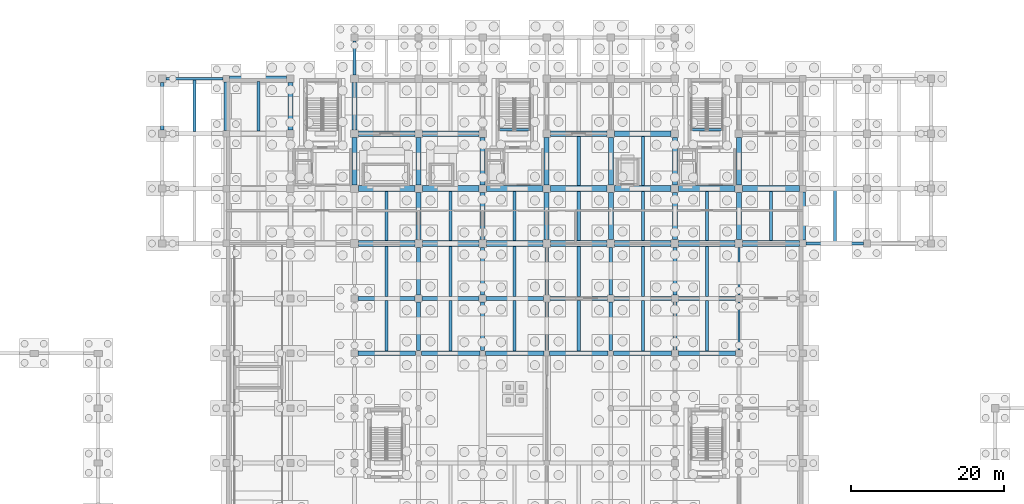
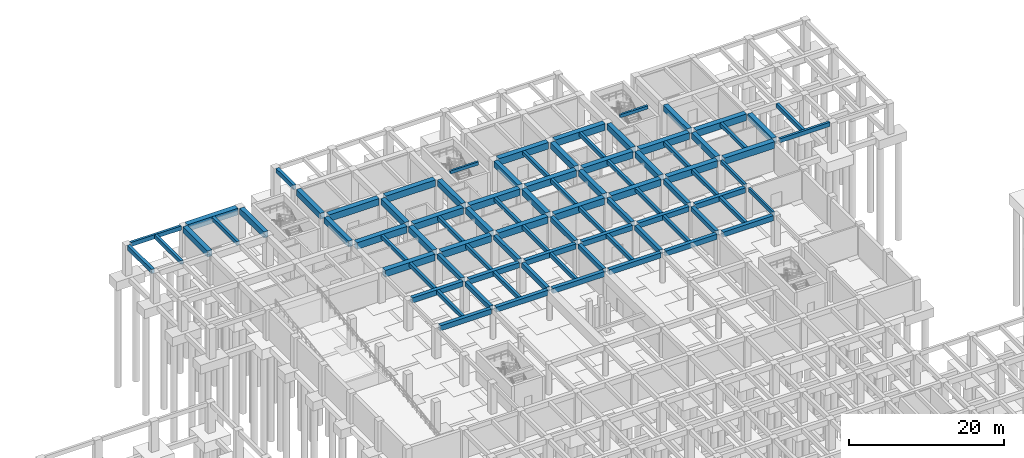
# One storey, part 15 of 26: 90 beams.
"""IFC4 building model written with IfcOpenShell, lengths in metres."""

from ifc_helpers import new_model, si_unit, direction, frame, origin, origin_2d, place, context, subcontext, project, spatial, rectangle, extrude, material, material_profile, profile_set, type_object, element, save


model = new_model("IFC4")

# Units and contexts
model_context = context("Model", 3, precision=1e-05, world=origin(), true_north=direction((0.0, 1.0)))
body_context = subcontext(model_context, "Body", "Model", "MODEL_VIEW")
ifc_project = project(units=[si_unit("LENGTHUNIT", "METRE"), si_unit("AREAUNIT", "SQUARE_METRE"), si_unit("VOLUMEUNIT", "CUBIC_METRE"), si_unit("PLANEANGLEUNIT", "RADIAN"), si_unit("MASSUNIT", "GRAM", prefix="KILO")], contexts=[model_context])

# Site, building, storey
site_placement = place(None, origin())
site = spatial("IfcSite", under=ifc_project, at=site_placement, CompositionType="ELEMENT")
building_placement = place(site_placement, origin())
building = spatial("IfcBuilding", under=site, at=building_placement, Name="Kenerak Square Central Library", CompositionType="ELEMENT")
storey_placement = place(building_placement, frame((0.0, 0.0, -4.800048828125)))
storey = spatial("IfcBuildingStorey", under=building, at=storey_placement, Name="B1", CompositionType="ELEMENT", Elevation=-4.800048828125)

# Beams
ifc_material_1 = material(Name="Concrete C45/55", Category="concrete")
ifc_material_profile_1 = material_profile(ifc_material_1, rectangle(XDim=0.64990234375, YDim=0.949951171875, at=origin_2d()), Name="RC 650x950")
ifc_profile_set_1 = profile_set([ifc_material_profile_1], Name="Concrete C45/55")
beam_type_1 = type_object("IfcBeamType", Name="Book Stack Girder B-02 RC 650x950 C45/55", PredefinedType="BEAM", material=ifc_profile_set_1)
beam_1_placement = place(storey_placement, frame((50.0, 103.625, 4.324951171875), z_axis=(0.0, 1.0, 0.0), x_axis=(-1.0, 0.0, 0.0)))
element("IfcBeam", 1, at=beam_1_placement, inside=storey, type_object=beam_type_1, Name="Beam B-02 B1 0184", PredefinedType="BEAM", context=body_context, shape_type="SweptSolid", body=[
    extrude(rectangle(XDim=0.64990234375, YDim=0.949951171875, at=origin_2d()), origin(), (0.0, 0.0, 1.0), 6.35009765625),
])
for number, where, z_axis, x_axis, name in (
    (2, (58.39990234375, 103.699951171875, 4.324951171875), (0.0, 1.0, 0.0), (-1.0, 0.0, 0.0), "Beam B-02 B1 0192"),
    (3, (66.800048828125, 96.5, 4.324951171875), (0.0, 1.0, 0.0), (-1.0, 0.0, 0.0), "Beam B-02 B1 0204"),
    (4, (66.800048828125, 103.699951171875, 4.324951171875), (0.0, 1.0, 0.0), (-1.0, 0.0, 0.0), "Beam B-02 B1 0205"),
    (5, (75.199951171875, 89.300048828125, 4.324951171875), (0.0, 1.0, 0.0), (-1.0, 0.0, 0.0), "Beam B-02 B1 0217"),
    (6, (75.199951171875, 96.5, 4.324951171875), (0.0, 1.0, 0.0), (-1.0, 0.0, 0.0), "Beam B-02 B1 0218"),
    (7, (83.60009765625, 89.300048828125, 4.324951171875), (0.0, 1.0, 0.0), (-1.0, 0.0, 0.0), "Beam B-02 B1 0229"),
    (8, (83.60009765625, 96.5, 4.324951171875), (0.0, 1.0, 0.0), (-1.0, 0.0, 0.0), "Beam B-02 B1 0230"),
    (9, (92.0, 89.300048828125, 4.324951171875), (0.0, 1.0, 0.0), (-1.0, 0.0, 0.0), "Beam B-02 B1 0241"),
    (10, (92.0, 96.5, 4.324951171875), (0.0, 1.0, 0.0), (-1.0, 0.0, 0.0), "Beam B-02 B1 0242"),
    (11, (100.39990234375, 89.300048828125, 4.324951171875), (0.0, 1.0, 0.0), (-1.0, 0.0, 0.0), "Beam B-02 B1 0255"),
    (12, (100.39990234375, 96.5, 4.324951171875), (0.0, 1.0, 0.0), (-1.0, 0.0, 0.0), "Beam B-02 B1 0256"),
    (13, (108.800048828125, 89.300048828125, 4.324951171875), (0.0, 1.0, 0.0), (-1.0, 0.0, 0.0), "Beam B-02 B1 0269"),
    (14, (108.800048828125, 96.5, 4.324951171875), (0.0, 1.0, 0.0), (-1.0, 0.0, 0.0), "Beam B-02 B1 0270"),
    (15, (117.199951171875, 89.300048828125, 4.324951171875), (0.0, 1.0, 0.0), (-1.0, 0.0, 0.0), "Beam B-02 B1 0283"),
    (16, (117.199951171875, 96.5, 4.324951171875), (0.0, 1.0, 0.0), (-1.0, 0.0, 0.0), "Beam B-02 B1 0284"),
):
    element("IfcBeam", number, at=place(storey_placement, frame(where, z_axis=z_axis, x_axis=x_axis)), inside=storey, type_object=beam_type_1, Name=name, PredefinedType="BEAM", context=body_context, shape_type="SweptSolid", body=[
        extrude(rectangle(XDim=0.64990234375, YDim=0.949951171875, at=origin_2d()), origin(), (0.0, 0.0, 1.0), 6.199951171875),
    ])
beam_2_placement = place(storey_placement, frame((125.60009765625, 89.22509765625, 4.324951171875), z_axis=(0.0, 1.0, 0.0), x_axis=(-1.0, 0.0, 0.0)))
element("IfcBeam", 17, at=beam_2_placement, inside=storey, type_object=beam_type_1, Name="Beam B-02 B1 0289", PredefinedType="BEAM", context=body_context, shape_type="SweptSolid", body=[
    extrude(rectangle(XDim=0.64990234375, YDim=0.949951171875, at=origin_2d()), origin(), (0.0, 0.0, 1.0), 6.349853515625),
])
ifc_material_profile_2 = material_profile(ifc_material_1, rectangle(XDim=0.75, YDim=1.050048828125, at=origin_2d()), Name="RC 750x1050")
ifc_profile_set_2 = profile_set([ifc_material_profile_2], Name="Concrete C45/55")
beam_type_2 = type_object("IfcBeamType", Name="Compact Stack Girder B-01 RC 750x1050 C45/55", PredefinedType="BEAM", material=ifc_profile_set_2)
beam_3_placement = place(storey_placement, frame((67.300048828125, 88.800048828125, 4.275146484375), z_axis=(1.0, 0.0, 0.0), x_axis=(0.0, 1.0, 0.0)))
element("IfcBeam", 18, at=beam_3_placement, inside=storey, type_object=beam_type_2, Name="Beam B-01 B1 0115", PredefinedType="BEAM", context=body_context, shape_type="SweptSolid", body=[
    extrude(rectangle(XDim=0.75, YDim=1.050048828125, at=origin_2d()), origin(), (0.0, 0.0, 1.0), 7.39990234375),
])
beam_4_placement = place(storey_placement, frame((75.699951171875, 88.800048828125, 4.275146484375), z_axis=(1.0, 0.0, 0.0), x_axis=(0.0, 1.0, 0.0)))
element("IfcBeam", 19, at=beam_4_placement, inside=storey, type_object=beam_type_2, Name="Beam B-01 B1 0116", PredefinedType="BEAM", context=body_context, shape_type="SweptSolid", body=[
    extrude(rectangle(XDim=0.75, YDim=1.050048828125, at=origin_2d()), origin(), (0.0, 0.0, 1.0), 7.400146484375),
])
for number, where, z_axis, x_axis, name in (
    (20, (84.10009765625, 88.800048828125, 4.275146484375), (1.0, 0.0, 0.0), (0.0, 1.0, 0.0), "Beam B-01 B1 0117"),
    (21, (92.5, 88.800048828125, 4.275146484375), (1.0, 0.0, 0.0), (0.0, 1.0, 0.0), "Beam B-01 B1 0118"),
):
    element("IfcBeam", number, at=place(storey_placement, frame(where, z_axis=z_axis, x_axis=x_axis)), inside=storey, type_object=beam_type_2, Name=name, PredefinedType="BEAM", context=body_context, shape_type="SweptSolid", body=[
        extrude(rectangle(XDim=0.75, YDim=1.050048828125, at=origin_2d()), origin(), (0.0, 0.0, 1.0), 7.39990234375),
    ])
beam_5_placement = place(storey_placement, frame((100.89990234375, 88.800048828125, 4.275146484375), z_axis=(1.0, 0.0, 0.0), x_axis=(0.0, 1.0, 0.0)))
element("IfcBeam", 22, at=beam_5_placement, inside=storey, type_object=beam_type_2, Name="Beam B-01 B1 0119", PredefinedType="BEAM", context=body_context, shape_type="SweptSolid", body=[
    extrude(rectangle(XDim=0.75, YDim=1.050048828125, at=origin_2d()), origin(), (0.0, 0.0, 1.0), 7.400146484375),
])
beam_6_placement = place(storey_placement, frame((109.300048828125, 88.800048828125, 4.275146484375), z_axis=(1.0, 0.0, 0.0), x_axis=(0.0, 1.0, 0.0)))
element("IfcBeam", 23, at=beam_6_placement, inside=storey, type_object=beam_type_2, Name="Beam B-01 B1 0120", PredefinedType="BEAM", context=body_context, shape_type="SweptSolid", body=[
    extrude(rectangle(XDim=0.75, YDim=1.050048828125, at=origin_2d()), origin(), (0.0, 0.0, 1.0), 7.39990234375),
])
beam_7_placement = place(storey_placement, frame((117.699951171875, 88.800048828125, 4.275146484375), z_axis=(1.0, 0.0, 0.0), x_axis=(0.0, 1.0, 0.0)))
element("IfcBeam", 24, at=beam_7_placement, inside=storey, type_object=beam_type_2, Name="Beam B-01 B1 0121", PredefinedType="BEAM", context=body_context, shape_type="SweptSolid", body=[
    extrude(rectangle(XDim=0.75, YDim=1.050048828125, at=origin_2d()), origin(), (0.0, 0.0, 1.0), 7.47509765625),
])
beam_8_placement = place(storey_placement, frame((67.300048828125, 96.0, 4.275146484375), z_axis=(1.0, 0.0, 0.0), x_axis=(0.0, 1.0, 0.0)))
element("IfcBeam", 25, at=beam_8_placement, inside=storey, type_object=beam_type_2, Name="Beam B-01 B1 0127", PredefinedType="BEAM", context=body_context, shape_type="SweptSolid", body=[
    extrude(rectangle(XDim=0.75, YDim=1.050048828125, at=origin_2d()), origin(), (0.0, 0.0, 1.0), 7.39990234375),
])
beam_9_placement = place(storey_placement, frame((75.699951171875, 96.0, 4.275146484375), z_axis=(1.0, 0.0, 0.0), x_axis=(0.0, 1.0, 0.0)))
element("IfcBeam", 26, at=beam_9_placement, inside=storey, type_object=beam_type_2, Name="Beam B-01 B1 0128", PredefinedType="BEAM", context=body_context, shape_type="SweptSolid", body=[
    extrude(rectangle(XDim=0.75, YDim=1.050048828125, at=origin_2d()), origin(), (0.0, 0.0, 1.0), 7.400146484375),
])
for number, where, z_axis, x_axis, name in (
    (27, (84.10009765625, 96.0, 4.275146484375), (1.0, 0.0, 0.0), (0.0, 1.0, 0.0), "Beam B-01 B1 0129"),
    (28, (92.5, 96.0, 4.275146484375), (1.0, 0.0, 0.0), (0.0, 1.0, 0.0), "Beam B-01 B1 0130"),
):
    element("IfcBeam", number, at=place(storey_placement, frame(where, z_axis=z_axis, x_axis=x_axis)), inside=storey, type_object=beam_type_2, Name=name, PredefinedType="BEAM", context=body_context, shape_type="SweptSolid", body=[
        extrude(rectangle(XDim=0.75, YDim=1.050048828125, at=origin_2d()), origin(), (0.0, 0.0, 1.0), 7.39990234375),
    ])
beam_10_placement = place(storey_placement, frame((100.89990234375, 96.0, 4.275146484375), z_axis=(1.0, 0.0, 0.0), x_axis=(0.0, 1.0, 0.0)))
element("IfcBeam", 29, at=beam_10_placement, inside=storey, type_object=beam_type_2, Name="Beam B-01 B1 0131", PredefinedType="BEAM", context=body_context, shape_type="SweptSolid", body=[
    extrude(rectangle(XDim=0.75, YDim=1.050048828125, at=origin_2d()), origin(), (0.0, 0.0, 1.0), 7.400146484375),
])
beam_11_placement = place(storey_placement, frame((109.300048828125, 96.0, 4.275146484375), z_axis=(1.0, 0.0, 0.0), x_axis=(0.0, 1.0, 0.0)))
element("IfcBeam", 30, at=beam_11_placement, inside=storey, type_object=beam_type_2, Name="Beam B-01 B1 0132", PredefinedType="BEAM", context=body_context, shape_type="SweptSolid", body=[
    extrude(rectangle(XDim=0.75, YDim=1.050048828125, at=origin_2d()), origin(), (0.0, 0.0, 1.0), 7.39990234375),
])
beam_12_placement = place(storey_placement, frame((117.699951171875, 96.0, 4.275146484375), z_axis=(1.0, 0.0, 0.0), x_axis=(0.0, 1.0, 0.0)))
element("IfcBeam", 31, at=beam_12_placement, inside=storey, type_object=beam_type_2, Name="Beam B-01 B1 0133", PredefinedType="BEAM", context=body_context, shape_type="SweptSolid", body=[
    extrude(rectangle(XDim=0.75, YDim=1.050048828125, at=origin_2d()), origin(), (0.0, 0.0, 1.0), 7.47509765625),
])
beam_13_placement = place(storey_placement, frame((67.300048828125, 103.199951171875, 4.275146484375), z_axis=(1.0, 0.0, 0.0), x_axis=(0.0, 1.0, 0.0)))
element("IfcBeam", 32, at=beam_13_placement, inside=storey, type_object=beam_type_2, Name="Beam B-01 B1 0138", PredefinedType="BEAM", context=body_context, shape_type="SweptSolid", body=[
    extrude(rectangle(XDim=0.75, YDim=1.050048828125, at=origin_2d()), origin(), (0.0, 0.0, 1.0), 7.39990234375),
])
beam_14_placement = place(storey_placement, frame((75.699951171875, 103.199951171875, 4.275146484375), z_axis=(1.0, 0.0, 0.0), x_axis=(0.0, 1.0, 0.0)))
element("IfcBeam", 33, at=beam_14_placement, inside=storey, type_object=beam_type_2, Name="Beam B-01 B1 0139", PredefinedType="BEAM", context=body_context, shape_type="SweptSolid", body=[
    extrude(rectangle(XDim=0.75, YDim=1.050048828125, at=origin_2d()), origin(), (0.0, 0.0, 1.0), 7.400146484375),
])
beam_15_placement = place(storey_placement, frame((92.5, 103.199951171875, 4.275146484375), z_axis=(1.0, 0.0, 0.0), x_axis=(0.0, 1.0, 0.0)))
element("IfcBeam", 34, at=beam_15_placement, inside=storey, type_object=beam_type_2, Name="Beam B-01 B1 0140", PredefinedType="BEAM", context=body_context, shape_type="SweptSolid", body=[
    extrude(rectangle(XDim=0.75, YDim=1.050048828125, at=origin_2d()), origin(), (0.0, 0.0, 1.0), 7.39990234375),
])
beam_16_placement = place(storey_placement, frame((100.89990234375, 103.199951171875, 4.275146484375), z_axis=(1.0, 0.0, 0.0), x_axis=(0.0, 1.0, 0.0)))
element("IfcBeam", 35, at=beam_16_placement, inside=storey, type_object=beam_type_2, Name="Beam B-01 B1 0141", PredefinedType="BEAM", context=body_context, shape_type="SweptSolid", body=[
    extrude(rectangle(XDim=0.75, YDim=1.050048828125, at=origin_2d()), origin(), (0.0, 0.0, 1.0), 7.400146484375),
])
beam_17_placement = place(storey_placement, frame((50.425048828125, 110.39990234375, 4.275146484375), z_axis=(1.0, 0.0, 0.0), x_axis=(0.0, 1.0, 0.0)))
element("IfcBeam", 36, at=beam_17_placement, inside=storey, type_object=beam_type_2, Name="Beam B-01 B1 0146", PredefinedType="BEAM", context=body_context, shape_type="SweptSolid", body=[
    extrude(rectangle(XDim=0.75, YDim=1.050048828125, at=origin_2d()), origin(), (0.0, 0.0, 1.0), 7.474853515625),
])
ifc_material_2 = material(Name="Concrete C40/50", Category="concrete")
ifc_material_profile_3 = material_profile(ifc_material_2, rectangle(XDim=0.300048828125, YDim=0.60009765625, at=origin_2d()), Name="RC 300x600")
ifc_profile_set_3 = profile_set([ifc_material_profile_3], Name="Concrete C40/50")
beam_type_3 = type_object("IfcBeamType", Name="Courtyard Spandrel Beam SP-02 RC 300x600 C40/50", PredefinedType="SPANDREL", material=ifc_profile_set_3)
beam_18_placement = place(storey_placement, frame((117.199951171875, 74.85009765625, 4.5), z_axis=(0.0, 1.0, 0.0), x_axis=(-1.0, 0.0, 0.0)))
element("IfcBeam", 37, at=beam_18_placement, inside=storey, type_object=beam_type_3, Name="Beam SP-02 B1 0281", PredefinedType="SPANDREL", context=body_context, shape_type="SweptSolid", body=[
    extrude(rectangle(XDim=0.300048828125, YDim=0.60009765625, at=origin_2d()), origin(), (0.0, 0.0, 1.0), 6.2998046875),
])
beam_19_placement = place(storey_placement, frame((117.199951171875, 82.050048828125, 4.5), z_axis=(0.0, 1.0, 0.0), x_axis=(-1.0, 0.0, 0.0)))
element("IfcBeam", 38, at=beam_19_placement, inside=storey, type_object=beam_type_3, Name="Beam SP-02 B1 0282", PredefinedType="SPANDREL", context=body_context, shape_type="SweptSolid", body=[
    extrude(rectangle(XDim=0.300048828125, YDim=0.60009765625, at=origin_2d()), origin(), (0.0, 0.0, 1.0), 6.25),
])
ifc_material_profile_4 = material_profile(ifc_material_2, rectangle(XDim=0.300048828125, YDim=0.5, at=origin_2d()), Name="RC 300x500")
ifc_profile_set_4 = profile_set([ifc_material_profile_4], Name="Concrete C40/50")
beam_type_4 = type_object("IfcBeamType", Name="Landing Support Beam B-08 RC 300x500 C40/50", PredefinedType="BEAM", material=ifc_profile_set_4)
beam_20_placement = place(storey_placement, frame((85.719970703125, 103.7099609375, 4.550048828125), z_axis=(1.0, 0.0, 0.0), x_axis=(0.0, 1.0, 0.0)))
element("IfcBeam", 39, at=beam_20_placement, inside=storey, type_object=beam_type_4, Name="Stair Threshold Beam B-08 ST-02 L00", PredefinedType="BEAM", context=body_context, shape_type="SweptSolid", body=[
    extrude(rectangle(XDim=0.300048828125, YDim=0.5, at=origin_2d()), origin(), (0.0, 0.0, 1.0), 4.159912109375),
])
beam_21_placement = place(storey_placement, frame((110.919921875, 103.7099609375, 4.550048828125), z_axis=(1.0, 0.0, 0.0), x_axis=(0.0, 1.0, 0.0)))
element("IfcBeam", 40, at=beam_21_placement, inside=storey, type_object=beam_type_4, Name="Stair Threshold Beam B-08 ST-03 L00", PredefinedType="BEAM", context=body_context, shape_type="SweptSolid", body=[
    extrude(rectangle(XDim=0.300048828125, YDim=0.5, at=origin_2d()), origin(), (0.0, 0.0, 1.0), 4.16015625),
])
ifc_material_profile_5 = material_profile(ifc_material_2, rectangle(XDim=0.35009765625, YDim=0.64990234375, at=origin_2d()), Name="RC 350x650")
ifc_profile_set_5 = profile_set([ifc_material_profile_5], Name="Concrete C40/50")
beam_type_5 = type_object("IfcBeamType", Name="Perimeter Plinth Spandrel SP-03 RC 350x650 C40/50", PredefinedType="SPANDREL", material=ifc_profile_set_5)
for number, where, z_axis, x_axis, name in (
    (41, (126.02490234375, 88.800048828125, 4.47509765625), (1.0, 0.0, 0.0), (0.0, 1.0, 0.0), "Beam SP-03 B1 0122"),
    (42, (42.074951171875, 110.39990234375, 4.47509765625), (1.0, 0.0, 0.0), (0.0, 1.0, 0.0), "Beam SP-03 B1 0145"),
):
    element("IfcBeam", number, at=place(storey_placement, frame(where, z_axis=z_axis, x_axis=x_axis)), inside=storey, type_object=beam_type_5, Name=name, PredefinedType="SPANDREL", context=body_context, shape_type="SweptSolid", body=[
        extrude(rectangle(XDim=0.35009765625, YDim=0.64990234375, at=origin_2d()), origin(), (0.0, 0.0, 1.0), 7.5),
    ])
ifc_material_profile_6 = material_profile(ifc_material_2, rectangle(XDim=0.550048828125, YDim=0.800048828125, at=origin_2d()), Name="RC 550x800")
ifc_profile_set_6 = profile_set([ifc_material_profile_6], Name="Concrete C40/50")
beam_type_6 = type_object("IfcBeamType", Name="Primary Reading Beam B-04 RC 550x800 C40/50", PredefinedType="BEAM", material=ifc_profile_set_6)
beam_22_placement = place(storey_placement, frame((67.25, 74.39990234375, 4.400146484375), z_axis=(1.0, 0.0, 0.0), x_axis=(0.0, 1.0, 0.0)))
element("IfcBeam", 43, at=beam_22_placement, inside=storey, type_object=beam_type_6, Name="Beam B-04 B1 0100", PredefinedType="BEAM", context=body_context, shape_type="SweptSolid", body=[
    extrude(rectangle(XDim=0.550048828125, YDim=0.800048828125, at=origin_2d()), origin(), (0.0, 0.0, 1.0), 7.574951171875),
])
beam_23_placement = place(storey_placement, frame((75.574951171875, 74.39990234375, 4.400146484375), z_axis=(1.0, 0.0, 0.0), x_axis=(0.0, 1.0, 0.0)))
element("IfcBeam", 44, at=beam_23_placement, inside=storey, type_object=beam_type_6, Name="Beam B-04 B1 0101", PredefinedType="BEAM", context=body_context, shape_type="SweptSolid", body=[
    extrude(rectangle(XDim=0.550048828125, YDim=0.800048828125, at=origin_2d()), origin(), (0.0, 0.0, 1.0), 7.650146484375),
])
for number, where, z_axis, x_axis, name in (
    (45, (83.97509765625, 74.39990234375, 4.400146484375), (1.0, 0.0, 0.0), (0.0, 1.0, 0.0), "Beam B-04 B1 0102"),
    (46, (92.375, 74.39990234375, 4.400146484375), (1.0, 0.0, 0.0), (0.0, 1.0, 0.0), "Beam B-04 B1 0103"),
):
    element("IfcBeam", number, at=place(storey_placement, frame(where, z_axis=z_axis, x_axis=x_axis)), inside=storey, type_object=beam_type_6, Name=name, PredefinedType="BEAM", context=body_context, shape_type="SweptSolid", body=[
        extrude(rectangle(XDim=0.550048828125, YDim=0.800048828125, at=origin_2d()), origin(), (0.0, 0.0, 1.0), 7.64990234375),
    ])
beam_24_placement = place(storey_placement, frame((100.77490234375, 74.39990234375, 4.400146484375), z_axis=(1.0, 0.0, 0.0), x_axis=(0.0, 1.0, 0.0)))
element("IfcBeam", 47, at=beam_24_placement, inside=storey, type_object=beam_type_6, Name="Beam B-04 B1 0104", PredefinedType="BEAM", context=body_context, shape_type="SweptSolid", body=[
    extrude(rectangle(XDim=0.550048828125, YDim=0.800048828125, at=origin_2d()), origin(), (0.0, 0.0, 1.0), 7.5751953125),
])
for number, where, z_axis, x_axis, name in (
    (48, (109.25, 74.39990234375, 4.400146484375), (1.0, 0.0, 0.0), (0.0, 1.0, 0.0), "Beam B-04 B1 0105"),
    (49, (67.25, 81.60009765625, 4.400146484375), (1.0, 0.0, 0.0), (0.0, 1.0, 0.0), "Beam B-04 B1 0106"),
    (50, (75.64990234375, 81.60009765625, 4.400146484375), (1.0, 0.0, 0.0), (0.0, 1.0, 0.0), "Beam B-04 B1 0107"),
    (51, (84.050048828125, 81.60009765625, 4.400146484375), (1.0, 0.0, 0.0), (0.0, 1.0, 0.0), "Beam B-04 B1 0108"),
    (52, (92.449951171875, 81.60009765625, 4.400146484375), (1.0, 0.0, 0.0), (0.0, 1.0, 0.0), "Beam B-04 B1 0109"),
    (53, (100.85009765625, 81.60009765625, 4.400146484375), (1.0, 0.0, 0.0), (0.0, 1.0, 0.0), "Beam B-04 B1 0110"),
    (54, (109.25, 81.60009765625, 4.400146484375), (1.0, 0.0, 0.0), (0.0, 1.0, 0.0), "Beam B-04 B1 0111"),
):
    element("IfcBeam", number, at=place(storey_placement, frame(where, z_axis=z_axis, x_axis=x_axis)), inside=storey, type_object=beam_type_6, Name=name, PredefinedType="BEAM", context=body_context, shape_type="SweptSolid", body=[
        extrude(rectangle(XDim=0.550048828125, YDim=0.800048828125, at=origin_2d()), origin(), (0.0, 0.0, 1.0), 7.5),
    ])
ifc_material_profile_7 = material_profile(ifc_material_2, rectangle(XDim=0.39990234375, YDim=0.60009765625, at=origin_2d()), Name="RC 400x600")
ifc_profile_set_7 = profile_set([ifc_material_profile_7], Name="Concrete C40/50")
beam_type_7 = type_object("IfcBeamType", Name="Secondary Floor Joist J-01 RC 400x600 C40/50", PredefinedType="JOIST", material=ifc_profile_set_7)
beam_25_placement = place(storey_placement, frame((45.800048828125, 103.449951171875, 4.5), z_axis=(0.0, 1.0, 0.0), x_axis=(-1.0, 0.0, 0.0)))
element("IfcBeam", 55, at=beam_25_placement, inside=storey, type_object=beam_type_7, Name="Joist J-01 B1 0334", PredefinedType="JOIST", context=body_context, shape_type="SweptSolid", body=[
    extrude(rectangle(XDim=0.39990234375, YDim=0.60009765625, at=origin_2d()), origin(), (0.0, 0.0, 1.0), 6.775146484375),
])
beam_26_placement = place(storey_placement, frame((54.199951171875, 103.574951171875, 4.5), z_axis=(0.0, 1.0, 0.0), x_axis=(-1.0, 0.0, 0.0)))
element("IfcBeam", 56, at=beam_26_placement, inside=storey, type_object=beam_type_7, Name="Joist J-01 B1 0340", PredefinedType="JOIST", context=body_context, shape_type="SweptSolid", body=[
    extrude(rectangle(XDim=0.39990234375, YDim=0.60009765625, at=origin_2d()), origin(), (0.0, 0.0, 1.0), 6.449951171875),
])
beam_27_placement = place(storey_placement, frame((71.0, 74.675048828125, 4.5), z_axis=(0.0, 1.0, 0.0), x_axis=(-1.0, 0.0, 0.0)))
element("IfcBeam", 57, at=beam_27_placement, inside=storey, type_object=beam_type_7, Name="Joist J-01 B1 0352", PredefinedType="JOIST", context=body_context, shape_type="SweptSolid", body=[
    extrude(rectangle(XDim=0.39990234375, YDim=0.60009765625, at=origin_2d()), origin(), (0.0, 0.0, 1.0), 6.64990234375),
])
beam_28_placement = place(storey_placement, frame((71.0, 81.875, 4.5), z_axis=(0.0, 1.0, 0.0), x_axis=(-1.0, 0.0, 0.0)))
element("IfcBeam", 58, at=beam_28_placement, inside=storey, type_object=beam_type_7, Name="Joist J-01 B1 0353", PredefinedType="JOIST", context=body_context, shape_type="SweptSolid", body=[
    extrude(rectangle(XDim=0.39990234375, YDim=0.60009765625, at=origin_2d()), origin(), (0.0, 0.0, 1.0), 6.550048828125),
])
beam_29_placement = place(storey_placement, frame((71.0, 89.175048828125, 4.5), z_axis=(0.0, 1.0, 0.0), x_axis=(-1.0, 0.0, 0.0)))
element("IfcBeam", 59, at=beam_29_placement, inside=storey, type_object=beam_type_7, Name="Joist J-01 B1 0354", PredefinedType="JOIST", context=body_context, shape_type="SweptSolid", body=[
    extrude(rectangle(XDim=0.39990234375, YDim=0.60009765625, at=origin_2d()), origin(), (0.0, 0.0, 1.0), 6.449951171875),
])
beam_30_placement = place(storey_placement, frame((79.39990234375, 74.675048828125, 4.5), z_axis=(0.0, 1.0, 0.0), x_axis=(-1.0, 0.0, 0.0)))
element("IfcBeam", 60, at=beam_30_placement, inside=storey, type_object=beam_type_7, Name="Joist J-01 B1 0363", PredefinedType="JOIST", context=body_context, shape_type="SweptSolid", body=[
    extrude(rectangle(XDim=0.39990234375, YDim=0.60009765625, at=origin_2d()), origin(), (0.0, 0.0, 1.0), 6.64990234375),
])
beam_31_placement = place(storey_placement, frame((79.39990234375, 81.875, 4.5), z_axis=(0.0, 1.0, 0.0), x_axis=(-1.0, 0.0, 0.0)))
element("IfcBeam", 61, at=beam_31_placement, inside=storey, type_object=beam_type_7, Name="Joist J-01 B1 0364", PredefinedType="JOIST", context=body_context, shape_type="SweptSolid", body=[
    extrude(rectangle(XDim=0.39990234375, YDim=0.60009765625, at=origin_2d()), origin(), (0.0, 0.0, 1.0), 6.550048828125),
])
beam_32_placement = place(storey_placement, frame((79.39990234375, 89.175048828125, 4.5), z_axis=(0.0, 1.0, 0.0), x_axis=(-1.0, 0.0, 0.0)))
element("IfcBeam", 62, at=beam_32_placement, inside=storey, type_object=beam_type_7, Name="Joist J-01 B1 0365", PredefinedType="JOIST", context=body_context, shape_type="SweptSolid", body=[
    extrude(rectangle(XDim=0.39990234375, YDim=0.60009765625, at=origin_2d()), origin(), (0.0, 0.0, 1.0), 6.449951171875),
])
beam_33_placement = place(storey_placement, frame((87.800048828125, 74.675048828125, 4.5), z_axis=(0.0, 1.0, 0.0), x_axis=(-1.0, 0.0, 0.0)))
element("IfcBeam", 63, at=beam_33_placement, inside=storey, type_object=beam_type_7, Name="Joist J-01 B1 0374", PredefinedType="JOIST", context=body_context, shape_type="SweptSolid", body=[
    extrude(rectangle(XDim=0.39990234375, YDim=0.60009765625, at=origin_2d()), origin(), (0.0, 0.0, 1.0), 6.64990234375),
])
beam_34_placement = place(storey_placement, frame((87.800048828125, 81.875, 4.5), z_axis=(0.0, 1.0, 0.0), x_axis=(-1.0, 0.0, 0.0)))
element("IfcBeam", 64, at=beam_34_placement, inside=storey, type_object=beam_type_7, Name="Joist J-01 B1 0375", PredefinedType="JOIST", context=body_context, shape_type="SweptSolid", body=[
    extrude(rectangle(XDim=0.39990234375, YDim=0.60009765625, at=origin_2d()), origin(), (0.0, 0.0, 1.0), 6.550048828125),
])
beam_35_placement = place(storey_placement, frame((87.800048828125, 89.175048828125, 4.5), z_axis=(0.0, 1.0, 0.0), x_axis=(-1.0, 0.0, 0.0)))
element("IfcBeam", 65, at=beam_35_placement, inside=storey, type_object=beam_type_7, Name="Joist J-01 B1 0376", PredefinedType="JOIST", context=body_context, shape_type="SweptSolid", body=[
    extrude(rectangle(XDim=0.39990234375, YDim=0.60009765625, at=origin_2d()), origin(), (0.0, 0.0, 1.0), 6.449951171875),
])
beam_36_placement = place(storey_placement, frame((96.199951171875, 74.675048828125, 4.5), z_axis=(0.0, 1.0, 0.0), x_axis=(-1.0, 0.0, 0.0)))
element("IfcBeam", 66, at=beam_36_placement, inside=storey, type_object=beam_type_7, Name="Joist J-01 B1 0383", PredefinedType="JOIST", context=body_context, shape_type="SweptSolid", body=[
    extrude(rectangle(XDim=0.39990234375, YDim=0.60009765625, at=origin_2d()), origin(), (0.0, 0.0, 1.0), 6.64990234375),
])
beam_37_placement = place(storey_placement, frame((96.199951171875, 81.875, 4.5), z_axis=(0.0, 1.0, 0.0), x_axis=(-1.0, 0.0, 0.0)))
element("IfcBeam", 67, at=beam_37_placement, inside=storey, type_object=beam_type_7, Name="Joist J-01 B1 0384", PredefinedType="JOIST", context=body_context, shape_type="SweptSolid", body=[
    extrude(rectangle(XDim=0.39990234375, YDim=0.60009765625, at=origin_2d()), origin(), (0.0, 0.0, 1.0), 6.550048828125),
])
for number, where, z_axis, x_axis, name in (
    (68, (96.199951171875, 89.175048828125, 4.5), (0.0, 1.0, 0.0), (-1.0, 0.0, 0.0), "Joist J-01 B1 0385"),
    (69, (96.199951171875, 96.375, 4.5), (0.0, 1.0, 0.0), (-1.0, 0.0, 0.0), "Joist J-01 B1 0386"),
):
    element("IfcBeam", number, at=place(storey_placement, frame(where, z_axis=z_axis, x_axis=x_axis)), inside=storey, type_object=beam_type_7, Name=name, PredefinedType="JOIST", context=body_context, shape_type="SweptSolid", body=[
        extrude(rectangle(XDim=0.39990234375, YDim=0.60009765625, at=origin_2d()), origin(), (0.0, 0.0, 1.0), 6.449951171875),
    ])
beam_38_placement = place(storey_placement, frame((104.60009765625, 74.675048828125, 4.5), z_axis=(0.0, 1.0, 0.0), x_axis=(-1.0, 0.0, 0.0)))
element("IfcBeam", 70, at=beam_38_placement, inside=storey, type_object=beam_type_7, Name="Joist J-01 B1 0397", PredefinedType="JOIST", context=body_context, shape_type="SweptSolid", body=[
    extrude(rectangle(XDim=0.39990234375, YDim=0.60009765625, at=origin_2d()), origin(), (0.0, 0.0, 1.0), 6.64990234375),
])
beam_39_placement = place(storey_placement, frame((104.60009765625, 81.875, 4.5), z_axis=(0.0, 1.0, 0.0), x_axis=(-1.0, 0.0, 0.0)))
element("IfcBeam", 71, at=beam_39_placement, inside=storey, type_object=beam_type_7, Name="Joist J-01 B1 0398", PredefinedType="JOIST", context=body_context, shape_type="SweptSolid", body=[
    extrude(rectangle(XDim=0.39990234375, YDim=0.60009765625, at=origin_2d()), origin(), (0.0, 0.0, 1.0), 6.550048828125),
])
for number, where, z_axis, x_axis, name in (
    (72, (104.60009765625, 89.175048828125, 4.5), (0.0, 1.0, 0.0), (-1.0, 0.0, 0.0), "Joist J-01 B1 0399"),
    (73, (104.60009765625, 96.375, 4.5), (0.0, 1.0, 0.0), (-1.0, 0.0, 0.0), "Joist J-01 B1 0400"),
):
    element("IfcBeam", number, at=place(storey_placement, frame(where, z_axis=z_axis, x_axis=x_axis)), inside=storey, type_object=beam_type_7, Name=name, PredefinedType="JOIST", context=body_context, shape_type="SweptSolid", body=[
        extrude(rectangle(XDim=0.39990234375, YDim=0.60009765625, at=origin_2d()), origin(), (0.0, 0.0, 1.0), 6.449951171875),
    ])
beam_40_placement = place(storey_placement, frame((113.0, 74.675048828125, 4.5), z_axis=(0.0, 1.0, 0.0), x_axis=(-1.0, 0.0, 0.0)))
element("IfcBeam", 74, at=beam_40_placement, inside=storey, type_object=beam_type_7, Name="Joist J-01 B1 0408", PredefinedType="JOIST", context=body_context, shape_type="SweptSolid", body=[
    extrude(rectangle(XDim=0.39990234375, YDim=0.60009765625, at=origin_2d()), origin(), (0.0, 0.0, 1.0), 6.64990234375),
])
beam_41_placement = place(storey_placement, frame((113.0, 81.875, 4.5), z_axis=(0.0, 1.0, 0.0), x_axis=(-1.0, 0.0, 0.0)))
element("IfcBeam", 75, at=beam_41_placement, inside=storey, type_object=beam_type_7, Name="Joist J-01 B1 0409", PredefinedType="JOIST", context=body_context, shape_type="SweptSolid", body=[
    extrude(rectangle(XDim=0.39990234375, YDim=0.60009765625, at=origin_2d()), origin(), (0.0, 0.0, 1.0), 6.550048828125),
])
for number, where, z_axis, x_axis, name in (
    (76, (113.0, 89.175048828125, 4.5), (0.0, 1.0, 0.0), (-1.0, 0.0, 0.0), "Joist J-01 B1 0410"),
    (77, (121.39990234375, 89.175048828125, 4.5), (0.0, 1.0, 0.0), (-1.0, 0.0, 0.0), "Joist J-01 B1 0414"),
):
    element("IfcBeam", number, at=place(storey_placement, frame(where, z_axis=z_axis, x_axis=x_axis)), inside=storey, type_object=beam_type_7, Name=name, PredefinedType="JOIST", context=body_context, shape_type="SweptSolid", body=[
        extrude(rectangle(XDim=0.39990234375, YDim=0.60009765625, at=origin_2d()), origin(), (0.0, 0.0, 1.0), 6.449951171875),
    ])
beam_42_placement = place(storey_placement, frame((129.800048828125, 88.97509765625, 4.5), z_axis=(0.0, 1.0, 0.0), x_axis=(-1.0, 0.0, 0.0)))
element("IfcBeam", 78, at=beam_42_placement, inside=storey, type_object=beam_type_7, Name="Joist J-01 B1 0420", PredefinedType="JOIST", context=body_context, shape_type="SweptSolid", body=[
    extrude(rectangle(XDim=0.39990234375, YDim=0.60009765625, at=origin_2d()), origin(), (0.0, 0.0, 1.0), 6.77490234375),
])
ifc_material_profile_8 = material_profile(ifc_material_2, rectangle(XDim=0.449951171875, YDim=0.699951171875, at=origin_2d()), Name="RC 450x700")
ifc_profile_set_8 = profile_set([ifc_material_profile_8], Name="Concrete C40/50")
beam_type_8 = type_object("IfcBeamType", Name="Sub-Grade Tie Beam B-10 RC 450x700 C40/50", PredefinedType="BEAM", material=ifc_profile_set_8)
beam_43_placement = place(storey_placement, frame((41.60009765625, 103.675048828125, 4.449951171875), z_axis=(0.0, 1.0, 0.0), x_axis=(-1.0, 0.0, 0.0)))
element("IfcBeam", 79, at=beam_43_placement, inside=storey, type_object=beam_type_8, Name="Beam B-10 B1 0178", PredefinedType="BEAM", context=body_context, shape_type="SweptSolid", body=[
    extrude(rectangle(XDim=0.449951171875, YDim=0.699951171875, at=origin_2d()), origin(), (0.0, 0.0, 1.0), 6.25),
])
beam_44_placement = place(storey_placement, frame((66.800048828125, 110.89990234375, 4.449951171875), z_axis=(0.0, 1.0, 0.0), x_axis=(-1.0, 0.0, 0.0)))
element("IfcBeam", 80, at=beam_44_placement, inside=storey, type_object=beam_type_8, Name="Beam B-10 B1 0206", PredefinedType="BEAM", context=body_context, shape_type="SweptSolid", body=[
    extrude(rectangle(XDim=0.449951171875, YDim=0.699951171875, at=origin_2d()), origin(), (0.0, 0.0, 1.0), 4.425048828125),
])
ifc_material_profile_9 = material_profile(ifc_material_2, rectangle(XDim=0.5, YDim=0.75, at=origin_2d()), Name="RC 500x750")
ifc_profile_set_9 = profile_set([ifc_material_profile_9], Name="Concrete C40/50")
beam_type_9 = type_object("IfcBeamType", Name="Transverse Frame Beam B-05 RC 500x750 C40/50", PredefinedType="BEAM", material=ifc_profile_set_9)
beam_45_placement = place(storey_placement, frame((75.199951171875, 74.77490234375, 4.425048828125), z_axis=(0.0, 1.0, 0.0), x_axis=(-1.0, 0.0, 0.0)))
element("IfcBeam", 81, at=beam_45_placement, inside=storey, type_object=beam_type_9, Name="Beam B-05 B1 0215", PredefinedType="BEAM", context=body_context, shape_type="SweptSolid", body=[
    extrude(rectangle(XDim=0.5, YDim=0.75, at=origin_2d()), origin(), (0.0, 0.0, 1.0), 6.375),
])
beam_46_placement = place(storey_placement, frame((75.199951171875, 82.050048828125, 4.425048828125), z_axis=(0.0, 1.0, 0.0), x_axis=(-1.0, 0.0, 0.0)))
element("IfcBeam", 82, at=beam_46_placement, inside=storey, type_object=beam_type_9, Name="Beam B-05 B1 0216", PredefinedType="BEAM", context=body_context, shape_type="SweptSolid", body=[
    extrude(rectangle(XDim=0.5, YDim=0.75, at=origin_2d()), origin(), (0.0, 0.0, 1.0), 6.25),
])
beam_47_placement = place(storey_placement, frame((83.60009765625, 74.77490234375, 4.425048828125), z_axis=(0.0, 1.0, 0.0), x_axis=(-1.0, 0.0, 0.0)))
element("IfcBeam", 83, at=beam_47_placement, inside=storey, type_object=beam_type_9, Name="Beam B-05 B1 0227", PredefinedType="BEAM", context=body_context, shape_type="SweptSolid", body=[
    extrude(rectangle(XDim=0.5, YDim=0.75, at=origin_2d()), origin(), (0.0, 0.0, 1.0), 6.375),
])
beam_48_placement = place(storey_placement, frame((83.60009765625, 82.050048828125, 4.425048828125), z_axis=(0.0, 1.0, 0.0), x_axis=(-1.0, 0.0, 0.0)))
element("IfcBeam", 84, at=beam_48_placement, inside=storey, type_object=beam_type_9, Name="Beam B-05 B1 0228", PredefinedType="BEAM", context=body_context, shape_type="SweptSolid", body=[
    extrude(rectangle(XDim=0.5, YDim=0.75, at=origin_2d()), origin(), (0.0, 0.0, 1.0), 6.25),
])
beam_49_placement = place(storey_placement, frame((92.0, 74.77490234375, 4.425048828125), z_axis=(0.0, 1.0, 0.0), x_axis=(-1.0, 0.0, 0.0)))
element("IfcBeam", 85, at=beam_49_placement, inside=storey, type_object=beam_type_9, Name="Beam B-05 B1 0239", PredefinedType="BEAM", context=body_context, shape_type="SweptSolid", body=[
    extrude(rectangle(XDim=0.5, YDim=0.75, at=origin_2d()), origin(), (0.0, 0.0, 1.0), 6.375),
])
beam_50_placement = place(storey_placement, frame((92.0, 82.050048828125, 4.425048828125), z_axis=(0.0, 1.0, 0.0), x_axis=(-1.0, 0.0, 0.0)))
element("IfcBeam", 86, at=beam_50_placement, inside=storey, type_object=beam_type_9, Name="Beam B-05 B1 0240", PredefinedType="BEAM", context=body_context, shape_type="SweptSolid", body=[
    extrude(rectangle(XDim=0.5, YDim=0.75, at=origin_2d()), origin(), (0.0, 0.0, 1.0), 6.25),
])
beam_51_placement = place(storey_placement, frame((100.39990234375, 74.77490234375, 4.425048828125), z_axis=(0.0, 1.0, 0.0), x_axis=(-1.0, 0.0, 0.0)))
element("IfcBeam", 87, at=beam_51_placement, inside=storey, type_object=beam_type_9, Name="Beam B-05 B1 0253", PredefinedType="BEAM", context=body_context, shape_type="SweptSolid", body=[
    extrude(rectangle(XDim=0.5, YDim=0.75, at=origin_2d()), origin(), (0.0, 0.0, 1.0), 6.375),
])
beam_52_placement = place(storey_placement, frame((100.39990234375, 82.050048828125, 4.425048828125), z_axis=(0.0, 1.0, 0.0), x_axis=(-1.0, 0.0, 0.0)))
element("IfcBeam", 88, at=beam_52_placement, inside=storey, type_object=beam_type_9, Name="Beam B-05 B1 0254", PredefinedType="BEAM", context=body_context, shape_type="SweptSolid", body=[
    extrude(rectangle(XDim=0.5, YDim=0.75, at=origin_2d()), origin(), (0.0, 0.0, 1.0), 6.25),
])
beam_53_placement = place(storey_placement, frame((108.800048828125, 74.85009765625, 4.425048828125), z_axis=(0.0, 1.0, 0.0), x_axis=(-1.0, 0.0, 0.0)))
element("IfcBeam", 89, at=beam_53_placement, inside=storey, type_object=beam_type_9, Name="Beam B-05 B1 0267", PredefinedType="BEAM", context=body_context, shape_type="SweptSolid", body=[
    extrude(rectangle(XDim=0.5, YDim=0.75, at=origin_2d()), origin(), (0.0, 0.0, 1.0), 6.2998046875),
])
beam_54_placement = place(storey_placement, frame((108.800048828125, 82.050048828125, 4.425048828125), z_axis=(0.0, 1.0, 0.0), x_axis=(-1.0, 0.0, 0.0)))
element("IfcBeam", 90, at=beam_54_placement, inside=storey, type_object=beam_type_9, Name="Beam B-05 B1 0268", PredefinedType="BEAM", context=body_context, shape_type="SweptSolid", body=[
    extrude(rectangle(XDim=0.5, YDim=0.75, at=origin_2d()), origin(), (0.0, 0.0, 1.0), 6.25),
])

save(model, "model.ifc")
